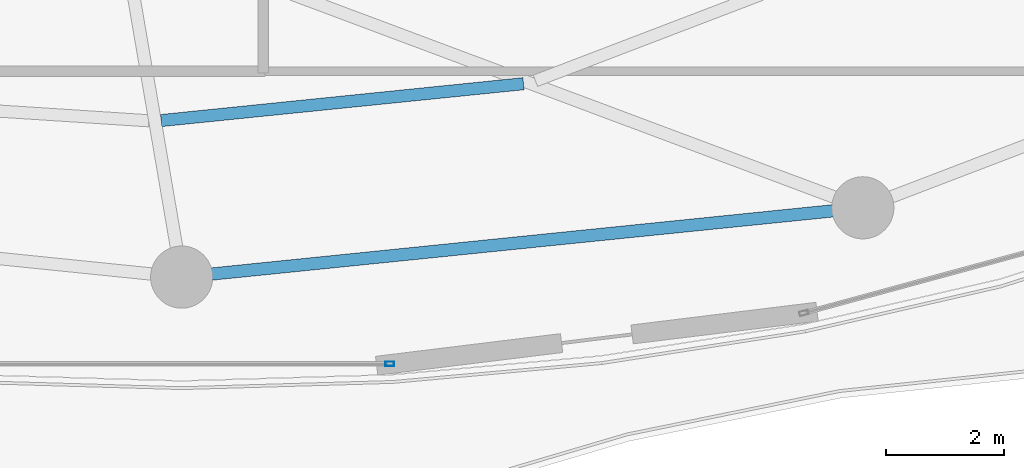
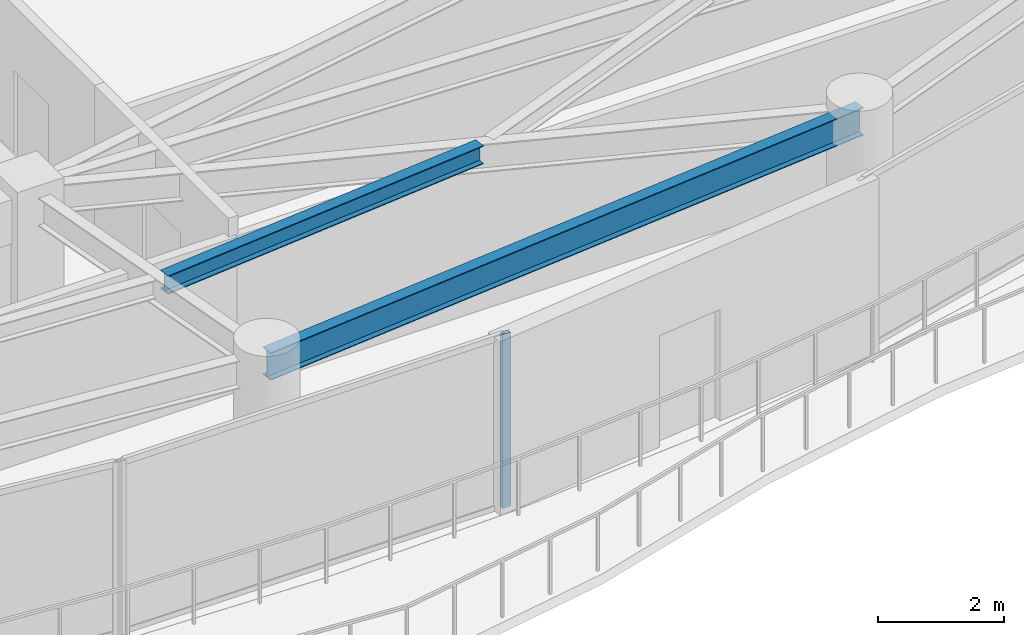
# One storey, part 10 of 30: 2 beams, 1 member, 1 element without a shape of its own.
"""IFC4 building model written with IfcOpenShell, lengths in metres."""

import ifcopenshell
import ifcopenshell.guid

model = None  # the IFC model being written
_history = None  # IfcOwnerHistory: only IFC2X3 demands one
_inside = {}  # id of a spatial element -> (the spatial element, [elements in it])
_under = {}  # id of a project, library or spatial element -> (it, [spatial elements below it])
_declared = {}  # id of a project -> (the project, [libraries it declares])
_typed = {}  # id of a type object -> (the type object, [elements of that type])
_made_of = {}  # id of a material, layer set ... -> (it, [elements and type objects made of it])


def new_model(schema):
    """Start an empty IFC model of exactly this schema.

    Asked for "IFC4X3", IfcOpenShell would pick the latest addendum, in which some entities
    have other attributes; the version numbers below select the first issue.
    IFC2X3 requires an IfcOwnerHistory on every rooted entity: one is made here for all.
    """
    global model, _history
    if schema == "IFC4X3":
        model = ifcopenshell.file(schema_version=(4, 3, 0, 0))
    else:
        model = ifcopenshell.file(schema=schema)
    _inside.clear()
    _under.clear()
    _declared.clear()
    _typed.clear()
    _made_of.clear()
    _history = None
    if model.schema == "IFC2X3":
        org = make("IfcOrganization", Name="unknown")
        user = make(
            "IfcPersonAndOrganization",
            ThePerson=make("IfcPerson", FamilyName="unknown"),
            TheOrganization=org,
        )
        app = make(
            "IfcApplication",
            ApplicationDeveloper=org,
            Version="unknown",
            ApplicationFullName="unknown",
            ApplicationIdentifier="unknown",
        )
        _history = make(
            "IfcOwnerHistory",
            OwningUser=user,
            OwningApplication=app,
            ChangeAction="ADDED",
            CreationDate=0,
        )
    return model


def make(cls, **values):
    """One entity of the class cls with the attributes given. An attribute that is None is left unset."""
    return model.create_entity(
        cls, **{name: value for name, value in values.items() if value is not None}
    )


def rooted(cls, **values):
    """An entity with a GlobalId (a new one), such as an element, a storey or a relation."""
    return make(cls, GlobalId=ifcopenshell.guid.new(), OwnerHistory=_history, **values)


def si_unit(unit_type, name, prefix=None):
    """IfcSIUnit, for example si_unit("LENGTHUNIT", "METRE", prefix="MILLI")."""
    return make("IfcSIUnit", UnitType=unit_type, Prefix=prefix, Name=name)


def assignment(units):
    """IfcUnitAssignment: the units of a project."""
    return None if units is None else make("IfcUnitAssignment", Units=units)


def point(xyz):
    """IfcCartesianPoint."""
    return None if xyz is None else make("IfcCartesianPoint", Coordinates=xyz)


def direction(xyz):
    """IfcDirection."""
    return None if xyz is None else make("IfcDirection", DirectionRatios=xyz)


def frame(location, z_axis=None, x_axis=None):
    """IfcAxis2Placement3D, a coordinate frame: its origin and axes. An axis left out is left unset."""
    return make(
        "IfcAxis2Placement3D",
        Location=point(location),
        Axis=direction(z_axis),
        RefDirection=direction(x_axis),
    )


def frame_2d(location, x_axis=None):
    """IfcAxis2Placement2D, a coordinate frame in the plane: its origin and x axis."""
    return make(
        "IfcAxis2Placement2D", Location=point(location), RefDirection=direction(x_axis)
    )


def origin():
    """The frame at (0, 0, 0) with its axes left unset."""
    return frame((0.0, 0.0, 0.0))


def origin_2d():
    """The frame at (0, 0) in the plane with its x axis left unset."""
    return frame_2d((0.0, 0.0))


def place(relative_to, where):
    """IfcLocalPlacement: puts the frame where relative to a parent placement (None: the world)."""
    return make(
        "IfcLocalPlacement", PlacementRelTo=relative_to, RelativePlacement=where
    )


def context(
    kind, dimensions, precision=None, world=None, true_north=None, identifier=None
):
    """IfcGeometricRepresentationContext, for example the 3D "Model" context."""
    return make(
        "IfcGeometricRepresentationContext",
        ContextIdentifier=identifier,
        ContextType=kind,
        CoordinateSpaceDimension=dimensions,
        Precision=precision,
        WorldCoordinateSystem=world,
        TrueNorth=true_north,
    )


def subcontext(parent, identifier, kind, view, scale=None):
    """IfcGeometricRepresentationSubContext, for example "Body" below "Model"."""
    return make(
        "IfcGeometricRepresentationSubContext",
        ContextIdentifier=identifier,
        ContextType=kind,
        ParentContext=parent,
        TargetScale=scale,
        TargetView=view,
    )


def project(units=None, contexts=None):
    """IfcProject with its units and contexts."""
    return rooted(
        "IfcProject",
        Name="project",
        RepresentationContexts=contexts,
        UnitsInContext=assignment(units),
    )


def spatial(cls, under=None, at=None, **own):
    """A site, building, storey or space (cls), placed at a placement, below another one or the project."""
    s = rooted(cls, ObjectPlacement=at, **own)
    if under is not None:
        _under.setdefault(under.id(), (under, []))[1].append(s)
    return s


def profile(cls, at=None, kind="AREA", **sizes):
    """A parametric profile (cls). Its sizes go by their IFC names, for example OverallWidth=200.0."""
    return make(cls, ProfileType=kind, Position=at, **sizes)


def hollow_rectangle(**sizes):
    """IfcRectangleHollowProfileDef."""
    return profile("IfcRectangleHollowProfileDef", **sizes)


def i_section(**sizes):
    """IfcIShapeProfileDef."""
    return profile("IfcIShapeProfileDef", **sizes)


def extrude(swept, where, along, depth):
    """IfcExtrudedAreaSolid: the profile swept, set in the frame where, extruded along a direction by depth."""
    return make(
        "IfcExtrudedAreaSolid",
        SweptArea=swept,
        Position=where,
        ExtrudedDirection=direction(along),
        Depth=depth,
    )


def shape(context_of_items, identifier, shape_type, items):
    """IfcShapeRepresentation: the items that make up one representation, for example the "Body"."""
    return make(
        "IfcShapeRepresentation",
        ContextOfItems=context_of_items,
        RepresentationIdentifier=identifier,
        RepresentationType=shape_type,
        Items=items,
    )


def material(Name=None, Category=None):
    """IfcMaterial."""
    return make("IfcMaterial", Name=Name, Category=Category)


def layer(
    of_material, thickness, ventilated=None, Name=None, Category=None, Priority=None
):
    """IfcMaterialLayer: one layer of a wall or slab, of a material (None: an air gap)."""
    return make(
        "IfcMaterialLayer",
        Material=of_material,
        LayerThickness=thickness,
        IsVentilated=ventilated,
        Name=Name,
        Category=Category,
        Priority=Priority,
    )


def layer_set(layers, Name=None):
    """IfcMaterialLayerSet."""
    return make("IfcMaterialLayerSet", MaterialLayers=layers, LayerSetName=Name)


def material_profile(
    of_material, cross_section, Name=None, Category=None, Priority=None
):
    """IfcMaterialProfile: a cross section and its material."""
    return make(
        "IfcMaterialProfile",
        Name=Name,
        Material=of_material,
        Profile=cross_section,
        Priority=Priority,
        Category=Category,
    )


def profile_set(profiles, Name=None, composite=None):
    """IfcMaterialProfileSet."""
    return make(
        "IfcMaterialProfileSet",
        Name=Name,
        MaterialProfiles=profiles,
        CompositeProfile=composite,
    )


def made_of(thing, what):
    """Note that an element or type object is made of a material, layer set ...; save() writes the relation."""
    if what is not None:
        _made_of.setdefault(what.id(), (what, []))[1].append(thing)
    return thing


def type_object(cls, material=None, **own):
    """A type object (cls), such as IfcWallType, which elements share."""
    return made_of(rooted(cls, **own), material)


def element(
    cls,
    number,
    at=None,
    inside=None,
    cuts=None,
    type_object=None,
    material=None,
    context=None,
    identifier="Body",
    shape_type=None,
    held_by="IfcProductDefinitionShape",
    body=None,
    shapes=None,
    **own,
):
    """One element of the class cls, such as IfcWall. Its Tag is "e" and its number.

    at: its placement. inside: the storey or other place that contains it. cuts: it is an
    opening in that element (IfcRelVoidsElement). A single representation is given by context,
    identifier, shape_type and body (its items); several are given by shapes. held_by: the class
    of the entity that holds the representations. save() writes the other relations.
    """
    e = rooted(cls, Tag="e%d" % number, ObjectPlacement=at, **own)
    if body is not None:
        shapes = [shape(context, identifier, shape_type, body)]
    if shapes is not None:
        e.Representation = make(held_by, Representations=shapes)
    if inside is not None:
        _inside.setdefault(inside.id(), (inside, []))[1].append(e)
    if cuts is not None:
        rooted(
            "IfcRelVoidsElement", RelatingBuildingElement=cuts, RelatedOpeningElement=e
        )
    if type_object is not None:
        _typed.setdefault(type_object.id(), (type_object, []))[1].append(e)
    return made_of(e, material)


def aggregate(whole, parts):
    """IfcRelAggregates: a whole, such as a stair, and the parts it consists of."""
    return rooted("IfcRelAggregates", RelatingObject=whole, RelatedObjects=parts)


def save(model, path):
    """Write the relations noted so far, then the file.

    IfcRelAggregates (storeys below a building ...), IfcRelContainedInSpatialStructure (elements
    in a storey), IfcRelDefinesByType, IfcRelAssociatesMaterial and IfcRelDeclares: one each for
    every whole, place, type object, material and project.
    """
    for whole, parts in _under.values():
        aggregate(whole, parts)
    for where, things in _inside.values():
        rooted(
            "IfcRelContainedInSpatialStructure",
            RelatedElements=things,
            RelatingStructure=where,
        )
    for kind, things in _typed.values():
        rooted("IfcRelDefinesByType", RelatedObjects=things, RelatingType=kind)
    for what, things in _made_of.values():
        rooted("IfcRelAssociatesMaterial", RelatedObjects=things, RelatingMaterial=what)
    for by, libraries in _declared.values():
        rooted("IfcRelDeclares", RelatingContext=by, RelatedDefinitions=libraries)
    model.write(path)


model = new_model("IFC4")

# Units and contexts
model_context = context("Model", 3, precision=1e-05, world=origin(), true_north=direction((0.0, 1.0)))
body_context = subcontext(model_context, "Body", "Model", "MODEL_VIEW")
ifc_project = project(units=[si_unit("LENGTHUNIT", "METRE"), si_unit("AREAUNIT", "SQUARE_METRE"), si_unit("VOLUMEUNIT", "CUBIC_METRE"), si_unit("PLANEANGLEUNIT", "RADIAN"), si_unit("MASSUNIT", "GRAM", prefix="KILO")], contexts=[model_context])

# Site, building, storey
site_placement = place(None, origin())
site = spatial("IfcSite", under=ifc_project, at=site_placement, CompositionType="ELEMENT")
building_placement = place(site_placement, origin())
building = spatial("IfcBuilding", under=site, at=building_placement, Name="Kazevale Care Tower and Concert Hall", CompositionType="ELEMENT")
storey_placement = place(building_placement, frame((0.0, 0.0, 242.39990234375)))
storey = spatial("IfcBuildingStorey", under=building, at=storey_placement, Name="L64", CompositionType="ELEMENT", Elevation=242.39990234375)

# Curtain wall, member
ifc_material_1 = material(Name="Aluminium 6063-T6 and Low-E Glass", Category="aluminium")
ifc_layer = layer(ifc_material_1, 0.179931640625)
ifc_layer_set = layer_set([ifc_layer], Name="Aluminium 6063-T6 and Low-E Glass")
curtain_wall_type = type_object("IfcCurtainWallType", Name="Sheltered Concave Balcony Curtain Wall CW-5", PredefinedType="NOTDEFINED", material=ifc_layer_set)
curtain_wall_placement = place(storey_placement, origin())
curtain_wall = element("IfcCurtainWall", 1, at=curtain_wall_placement, inside=storey, type_object=curtain_wall_type, Name="cw:L64:f06", PredefinedType="NOTDEFINED")
ifc_material_2 = material(Name="Aluminium 6063-T6", Category="aluminium")
ifc_material_profile_1 = material_profile(ifc_material_2, hollow_rectangle(XDim=0.074951171875, YDim=0.14990234375, WallThickness=0.00390625, at=origin_2d()), Name="ALU75x150x4")
ifc_profile_set_1 = profile_set([ifc_material_profile_1], Name="Aluminium 6063-T6")
member_type = type_object("IfcMemberType", Name="CW-5 Mullion ALU75x150x4", PredefinedType="MULLION", material=ifc_profile_set_1)
member_placement = place(storey_placement, frame((48.512451171875, 16.284912109375, 0.0), z_axis=(0.0, 0.0, 1.0), x_axis=(0.0, -1.0, 0.0)))
member = element("IfcMember", 2, at=member_placement, type_object=member_type, Name="CW-5 mullion 1", PredefinedType="MULLION", context=body_context, shape_type="SweptSolid", body=[
    extrude(hollow_rectangle(XDim=0.074951171875, YDim=0.14990234375, WallThickness=0.00390625, at=origin_2d()), origin(), (0.0, 0.0, 1.0), 3.360107421875),
])
aggregate(curtain_wall, [member])

# Beams
ifc_material_3 = material(Name="Steel ASTM A572 Gr 50", Category="steel")
ifc_material_profile_2 = material_profile(ifc_material_3, i_section(OverallWidth=0.205078125, OverallDepth=0.35400390625, WebThickness=0.009521484375, FlangeThickness=0.016845703125, at=origin_2d()), Name="W360x79")
ifc_profile_set_2 = profile_set([ifc_material_profile_2], Name="Steel ASTM A572 Gr 50")
beam_type_1 = type_object("IfcBeamType", Name="Secondary Floor Joist W360x79", PredefinedType="JOIST", material=ifc_profile_set_2)
beam_1_placement = place(storey_placement, frame((44.654052734375, 20.39306640625, 3.18310546875), z_axis=(0.994872697807, 0.10113513316, 0.0), x_axis=(-0.10113513316, 0.994872697807, 0.0)))
element("IfcBeam", 3, at=beam_1_placement, inside=storey, type_object=beam_type_1, Name="beam:L64:joist:13", PredefinedType="JOIST", context=body_context, shape_type="SweptSolid", body=[
    extrude(i_section(OverallWidth=0.205078125, OverallDepth=0.35400390625, WebThickness=0.009521484375, FlangeThickness=0.016845703125, at=origin_2d()), origin(), (0.0, 0.0, 1.0), 6.1484375),
])
ifc_material_profile_3 = material_profile(ifc_material_3, i_section(OverallWidth=0.208984375, OverallDepth=0.532958984375, WebThickness=0.01025390625, FlangeThickness=0.015625, at=origin_2d()), Name="W530x92")
ifc_profile_set_3 = profile_set([ifc_material_profile_3], Name="Steel ASTM A572 Gr 50")
beam_type_2 = type_object("IfcBeamType", Name="Upper Ring Beam W530x92", PredefinedType="BEAM", material=ifc_profile_set_3)
beam_2_placement = place(storey_placement, frame((45.0, 17.75, 3.093505859375), z_axis=(0.994865089307, 0.101209950492, 0.0), x_axis=(-0.101209950492, 0.994865089307, 0.0)))
element("IfcBeam", 4, at=beam_2_placement, inside=storey, type_object=beam_type_2, Name="beam:L64:ring:13", PredefinedType="BEAM", context=body_context, shape_type="SweptSolid", body=[
    extrude(i_section(OverallWidth=0.208984375, OverallDepth=0.532958984375, WebThickness=0.01025390625, FlangeThickness=0.015625, at=origin_2d()), origin(), (0.0, 0.0, 1.0), 11.559326171875),
])

save(model, "model.ifc")
